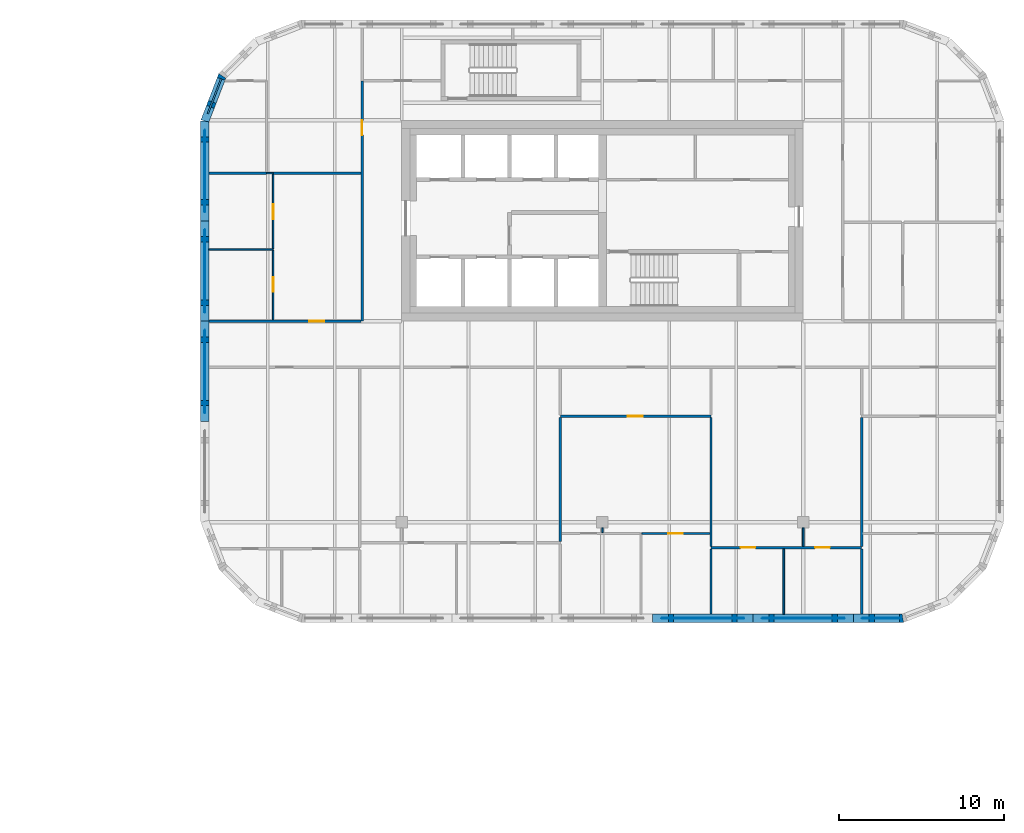
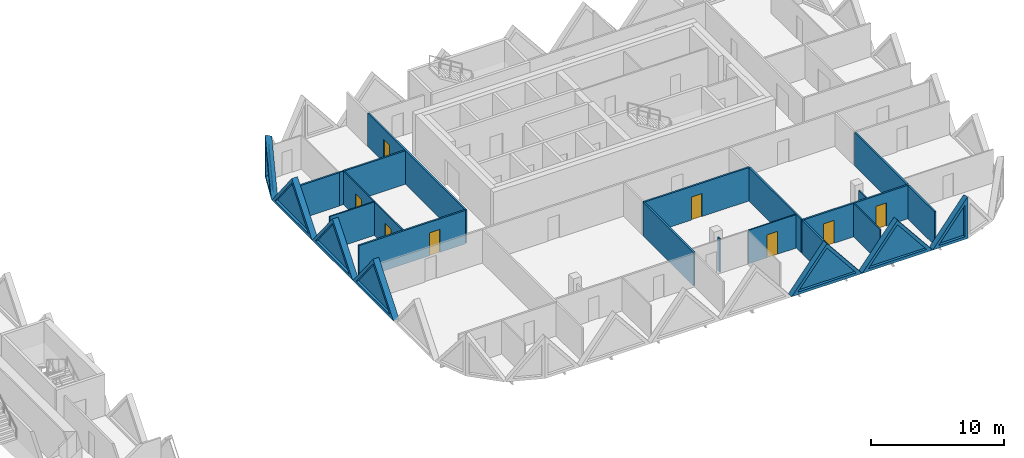
# One storey, part 12 of 19: 26 walls, 8 doors, 7 plates, 15 openings.
"""IFC4 building model written with IfcOpenShell, lengths in metres."""

from ifc_helpers import new_model, si_unit, direction, frame, frame_2d, origin, place, context, subcontext, project, spatial, polyline, rectangle, outline, extrude, faceted_brep, source, transform, mapped, material, layer, layer_set, type_object, element, fill, save


model = new_model("IFC4")

# Units and contexts
model_context = context("Model", 3, precision=1e-05, world=origin(), true_north=direction((0.0, 1.0)))
body_context = subcontext(model_context, "Body", "Model", "MODEL_VIEW")
ifc_project = project(units=[si_unit("LENGTHUNIT", "METRE"), si_unit("AREAUNIT", "SQUARE_METRE"), si_unit("VOLUMEUNIT", "CUBIC_METRE"), si_unit("PLANEANGLEUNIT", "RADIAN"), si_unit("MASSUNIT", "GRAM", prefix="KILO")], contexts=[model_context])

# Site, building, storey
site_placement = place(None, origin())
site = spatial("IfcSite", under=ifc_project, at=site_placement, CompositionType="ELEMENT")
building_placement = place(site_placement, origin())
building = spatial("IfcBuilding", under=site, at=building_placement, Name="Tessera Gate Towers", CompositionType="ELEMENT")
storey_placement = place(building_placement, frame((0.0, 0.0, 68.60009765625)))
storey = spatial("IfcBuildingStorey", under=building, at=storey_placement, Name="L16", CompositionType="ELEMENT", Elevation=68.60009765625)

# Wall, opening, door
ifc_material_1 = material(Name="Gypsum board on steel studs, mineral wool", Category="steel")
ifc_layer_1 = layer(ifc_material_1, 0.14990234375)
ifc_layer_set_1 = layer_set([ifc_layer_1], Name="CORRIDOR WALL 150")
wall_type_1 = type_object("IfcWallType", Name="CORRIDOR WALL 150", PredefinedType="PARTITIONING", material=ifc_layer_set_1)
wall_1_placement = place(storey_placement, frame((85.89990234375, 36.60009765625, 0.0), z_axis=(0.0, 0.0, 1.0), x_axis=(1.0, 0.0, 0.0)))
wall_1 = element("IfcWall", 1, at=wall_1_placement, inside=storey, type_object=wall_type_1, Name="T2-L16-PW-028", PredefinedType="PARTITIONING", context=body_context, shape_type="SweptSolid", body=[
    extrude(rectangle(XDim=9.22412109375, YDim=0.14990234375, at=frame_2d((4.612060546875, 0.0))), origin(), (0.0, 0.0, 1.0), 3.06689453125),
])
shared_shape_1 = source(origin(), body_context, "Body", "SweptSolid", [
    extrude(rectangle(XDim=0.89990234375, YDim=2.10009765625, at=frame_2d((0.449951171875, 1.050048828125))), frame((0.0, 0.0849609375, 0.0), z_axis=(0.0, -1.0, 0.0), x_axis=(1.0, 0.0, 0.0)), (0.0, 0.0, 1.0), 0.169921875),
])
opening_1_placement = place(wall_1_placement, frame((6.10009765625, 0.0, 0.0)))
opening_1 = element("IfcOpeningElement", 2, at=opening_1_placement, cuts=wall_1, Name="Opening D890FD60-B07-03", PredefinedType="OPENING", context=body_context, shape_type="MappedRepresentation", body=[
    mapped(shared_shape_1, transform((0.0, 0.0, 0.0), scale=1.0)),
])
ifc_material_2 = material(Name="Timber door leaf in steel frame", Category="steel")
door_type_1 = type_object("IfcDoorType", Name="CORRIDOR DOOR 900 FD60", OperationType="NOTDEFINED", PredefinedType="DOOR", material=ifc_material_2)
shared_shape_2 = source(origin(), body_context, "Body", "SweptSolid", [
    extrude(rectangle(XDim=0.89990234375, YDim=2.10009765625, at=frame_2d((0.449951171875, 1.050048828125))), frame((0.0, 0.02490234375, 0.0), z_axis=(0.0, -1.0, 0.0), x_axis=(1.0, 0.0, 0.0)), (0.0, 0.0, 1.0), 0.050048828125),
])
door_1_placement = place(opening_1_placement, origin())
door_1 = element("IfcDoor", 3, at=door_1_placement, inside=storey, type_object=door_type_1, Name="T2-L16-PD-028", OperationType="SINGLE_SWING_LEFT", OverallHeight=2.10009765625, OverallWidth=0.89990234375, PredefinedType="DOOR", context=body_context, shape_type="MappedRepresentation", body=[
    mapped(shared_shape_2, transform((0.0, 0.0, 0.0), scale=1.0)),
])
fill(opening_1, door_1)

wall_2_placement = place(storey_placement, frame((95.199951171875, 36.60009765625, 0.0), z_axis=(0.0, 0.0, 1.0), x_axis=(0.0, 1.0, 0.0)))
wall_2 = element("IfcWall", 4, at=wall_2_placement, inside=storey, type_object=wall_type_1, Name="T2-L16-PW-029", PredefinedType="PARTITIONING", context=body_context, shape_type="SweptSolid", body=[
    extrude(rectangle(XDim=14.599853515625, YDim=0.14990234375, at=frame_2d((7.2998046875, 0.0))), origin(), (0.0, 0.0, 1.0), 3.06689453125),
])
opening_2_placement = place(wall_2_placement, frame((11.301025390625, 0.0, 0.0)))
opening_2 = element("IfcOpeningElement", 5, at=opening_2_placement, cuts=wall_2, Name="Opening D890FD60-B07-01", PredefinedType="OPENING", context=body_context, shape_type="MappedRepresentation", body=[
    mapped(shared_shape_1, transform((0.0, 0.0, 0.0), scale=1.0)),
])
door_2_placement = place(opening_2_placement, origin())
door_2 = element("IfcDoor", 6, at=door_2_placement, inside=storey, type_object=door_type_1, Name="T2-L16-PD-010", OperationType="SINGLE_SWING_LEFT", OverallHeight=2.10009765625, OverallWidth=0.89990234375, PredefinedType="DOOR", context=body_context, shape_type="MappedRepresentation", body=[
    mapped(shared_shape_2, transform((0.0, 0.0, 0.0), scale=1.0)),
])
fill(opening_2, door_2)

ifc_material_3 = material(Name="Glass", Category="glass")
ifc_layer_2 = layer(ifc_material_3, 0.10009765625)
ifc_layer_set_2 = layer_set([ifc_layer_2], Name="GLAZED PARTITION 100")
wall_type_2 = type_object("IfcWallType", Name="GLAZED PARTITION 100", PredefinedType="PARTITIONING", material=ifc_layer_set_2)
wall_3_placement = place(storey_placement, frame((89.800048828125, 36.676025390625, 0.0), z_axis=(0.0, 0.0, 1.0), x_axis=(0.0, 1.0, 0.0)))
wall_3 = element("IfcWall", 7, at=wall_3_placement, inside=storey, type_object=wall_type_2, Name="T2-L16-PW-032", PredefinedType="PARTITIONING", context=body_context, shape_type="SweptSolid", body=[
    extrude(rectangle(XDim=4.220703125, YDim=0.10009765625, at=frame_2d((2.1103515625, 0.0))), origin(), (0.0, 0.0, 1.0), 3.06689453125),
])
shared_shape_3 = source(origin(), body_context, "Body", "SweptSolid", [
    extrude(rectangle(XDim=0.89990234375, YDim=2.10009765625, at=frame_2d((0.449951171875, 1.050048828125))), frame((0.0, 0.06005859375, 0.0), z_axis=(0.0, -1.0, 0.0), x_axis=(1.0, 0.0, 0.0)), (0.0, 0.0, 1.0), 0.1201171875),
])
opening_3_placement = place(wall_3_placement, frame((1.699951171875, 0.0, 0.0)))
opening_3 = element("IfcOpeningElement", 8, at=opening_3_placement, cuts=wall_3, Name="Opening D690-B07-01", PredefinedType="OPENING", context=body_context, shape_type="MappedRepresentation", body=[
    mapped(shared_shape_3, transform((0.0, 0.0, 0.0), scale=1.0)),
])
ifc_material_4 = material(Name="Glass in aluminium frame", Category="aluminium")
door_type_2 = type_object("IfcDoorType", Name="GLAZED DOOR 900 NOT RATED", OperationType="NOTDEFINED", PredefinedType="DOOR", material=ifc_material_4)
door_3_placement = place(opening_3_placement, origin())
door_3 = element("IfcDoor", 9, at=door_3_placement, inside=storey, type_object=door_type_2, Name="T2-L16-PD-003", OperationType="SINGLE_SWING_LEFT", OverallHeight=2.10009765625, OverallWidth=0.89990234375, PredefinedType="DOOR", context=body_context, shape_type="MappedRepresentation", body=[
    mapped(shared_shape_2, transform((0.0, 0.0, 0.0), scale=1.0)),
])
fill(opening_3, door_3)

wall_4_placement = place(storey_placement, frame((89.800048828125, 40.998779296875, 0.0), z_axis=(0.0, 0.0, 1.0), x_axis=(0.0, 1.0, 0.0)))
wall_4 = element("IfcWall", 10, at=wall_4_placement, inside=storey, type_object=wall_type_2, Name="T2-L16-PW-035", PredefinedType="PARTITIONING", context=body_context, shape_type="SweptSolid", body=[
    extrude(rectangle(XDim=4.525146484375, YDim=0.10009765625, at=frame_2d((2.2626953125, 0.0))), origin(), (0.0, 0.0, 1.0), 3.06689453125),
])
opening_4_placement = place(wall_4_placement, frame((1.800048828125, 0.0, 0.0)))
opening_4 = element("IfcOpeningElement", 11, at=opening_4_placement, cuts=wall_4, Name="Opening D690-B07-02", PredefinedType="OPENING", context=body_context, shape_type="MappedRepresentation", body=[
    mapped(shared_shape_3, transform((0.0, 0.0, 0.0), scale=1.0)),
])
door_4_placement = place(opening_4_placement, origin())
door_4 = element("IfcDoor", 12, at=door_4_placement, inside=storey, type_object=door_type_2, Name="T2-L16-PD-005", OperationType="SINGLE_SWING_LEFT", OverallHeight=2.10009765625, OverallWidth=0.89990234375, PredefinedType="DOOR", context=body_context, shape_type="MappedRepresentation", body=[
    mapped(shared_shape_2, transform((0.0, 0.0, 0.0), scale=1.0)),
])
fill(opening_4, door_4)

# Walls
wall_5_placement = place(storey_placement, frame((89.39599609375, 45.60009765625, 0.0), z_axis=(0.0, 0.0, 1.0), x_axis=(1.0, 0.0, 0.0)))
element("IfcWall", 13, at=wall_5_placement, inside=storey, type_object=wall_type_2, Name="T2-L16-PW-040", PredefinedType="PARTITIONING", context=body_context, shape_type="SweptSolid", body=[
    extrude(rectangle(XDim=0.403076171875, YDim=0.10009765625, at=frame_2d((0.20166015625, 0.0))), origin(), (0.0, 0.0, 1.0), 3.06689453125),
])
ifc_material_5 = material(Name="Gypsum board on steel studs", Category="steel")
ifc_layer_3 = layer(ifc_material_5, 0.10009765625)
ifc_layer_set_3 = layer_set([ifc_layer_3], Name="PARTITION 100")
wall_type_3 = type_object("IfcWallType", Name="PARTITION 100", PredefinedType="PARTITIONING", material=ifc_layer_set_3)
wall_6_placement = place(storey_placement, frame((120.820068359375, 18.800048828125, 0.0), z_axis=(0.0, 0.0, 1.0), x_axis=(0.0, 1.0, 0.0)))
element("IfcWall", 14, at=wall_6_placement, inside=storey, type_object=wall_type_3, Name="T2-L16-PW-006", PredefinedType="PARTITIONING", context=body_context, shape_type="SweptSolid", body=[
    extrude(rectangle(XDim=3.973876953125, YDim=0.10009765625, at=frame_2d((1.98681640625, 0.0))), origin(), (0.0, 0.0, 1.0), 3.06689453125),
])

# Wall, opening, door
wall_7_placement = place(storey_placement, frame((116.323974609375, 23.699951171875, 0.0), z_axis=(0.0, 0.0, 1.0), x_axis=(-1.0, 0.0, 0.0)))
wall_7 = element("IfcWall", 15, at=wall_7_placement, inside=storey, type_object=wall_type_3, Name="T2-L16-PW-017", PredefinedType="PARTITIONING", context=body_context, shape_type="SweptSolid", body=[
    extrude(rectangle(XDim=4.127685546875, YDim=0.10009765625, at=frame_2d((2.06396484375, 0.0))), origin(), (0.0, 0.0, 1.0), 3.06689453125),
])
opening_5_placement = place(wall_7_placement, frame((1.627685546875, 0.0, 0.0)))
opening_5 = element("IfcOpeningElement", 16, at=opening_5_placement, cuts=wall_7, Name="Opening D190-B07-02", PredefinedType="OPENING", context=body_context, shape_type="MappedRepresentation", body=[
    mapped(shared_shape_3, transform((0.0, 0.0, 0.0), scale=1.0)),
])
ifc_material_6 = material(Name="Timber door leaf in steel frame", Category="steel")
door_type_3 = type_object("IfcDoorType", Name="INTERNAL DOOR 900 NOT RATED", OperationType="NOTDEFINED", PredefinedType="DOOR", material=ifc_material_6)
door_5_placement = place(opening_5_placement, origin())
door_5 = element("IfcDoor", 17, at=door_5_placement, inside=storey, type_object=door_type_3, Name="T2-L16-PD-002", OperationType="SINGLE_SWING_RIGHT", OverallHeight=2.10009765625, OverallWidth=0.89990234375, PredefinedType="DOOR", context=body_context, shape_type="MappedRepresentation", body=[
    mapped(shared_shape_2, transform((0.0, 0.0, 0.0), scale=1.0)),
])
fill(opening_5, door_5)

# Walls
wall_8_placement = place(storey_placement, frame((109.800048828125, 24.050048828125, 0.0), z_axis=(0.0, 0.0, 1.0), x_axis=(0.0, -1.0, 0.0)))
element("IfcWall", 18, at=wall_8_placement, inside=storey, type_object=wall_type_3, Name="T2-L16-PW-020", PredefinedType="PARTITIONING", context=body_context, shape_type="SweptSolid", body=[
    extrude(rectangle(XDim=0.300048828125, YDim=0.10009765625, at=frame_2d((0.14990234375, 0.0))), origin(), (0.0, 0.0, 1.0), 3.06689453125),
])
wall_9_placement = place(storey_placement, frame((122.0, 24.050048828125, 0.0), z_axis=(0.0, 0.0, 1.0), x_axis=(0.0, -1.0, 0.0)))
element("IfcWall", 19, at=wall_9_placement, inside=storey, type_object=wall_type_3, Name="T2-L16-PW-021", PredefinedType="PARTITIONING", context=body_context, shape_type="SweptSolid", body=[
    extrude(rectangle(XDim=1.125, YDim=0.10009765625, at=frame_2d((0.5625, 0.0))), origin(), (0.0, 0.0, 1.0), 3.06689453125),
])
wall_10_placement = place(storey_placement, frame((85.89990234375, 40.947998046875, 0.0), z_axis=(0.0, 0.0, 1.0), x_axis=(1.0, 0.0, 0.0)))
element("IfcWall", 20, at=wall_10_placement, inside=storey, type_object=wall_type_3, Name="T2-L16-PW-034", PredefinedType="PARTITIONING", context=body_context, shape_type="SweptSolid", body=[
    extrude(rectangle(XDim=3.900146484375, YDim=0.10009765625, at=frame_2d((1.9501953125, 0.0))), origin(), (0.0, 0.0, 1.0), 3.06689453125),
])
ifc_material_7 = material(Name="Gypsum board on steel studs, mineral wool", Category="steel")
ifc_layer_4 = layer(ifc_material_7, 0.14990234375)
ifc_layer_set_4 = layer_set([ifc_layer_4], Name="TENANCY WALL 150")
wall_type_4 = type_object("IfcWallType", Name="TENANCY WALL 150", PredefinedType="PARTITIONING", material=ifc_layer_set_4)
for number, where, z_axis, x_axis, name in (
    (21, (116.39990234375, 18.800048828125, 0.0), (0.0, 0.0, 1.0), (0.0, 1.0, 0.0), "T2-L16-PW-005"),
    (22, (125.550048828125, 18.800048828125, 0.0), (0.0, 0.0, 1.0), (0.0, 1.0, 0.0), "T2-L16-PW-007"),
):
    element("IfcWall", number, at=place(storey_placement, frame(where, z_axis=z_axis, x_axis=x_axis)), inside=storey, type_object=wall_type_4, Name=name, PredefinedType="PARTITIONING", context=body_context, shape_type="SweptSolid", body=[
        extrude(rectangle(XDim=3.973876953125, YDim=0.14990234375, at=frame_2d((1.98681640625, 0.0))), origin(), (0.0, 0.0, 1.0), 3.06689453125),
    ])

# Wall, openings, doors
wall_11_placement = place(storey_placement, frame((125.550048828125, 22.85009765625, 0.0), z_axis=(0.0, 0.0, 1.0), x_axis=(-1.0, 0.0, 0.0)))
wall_11 = element("IfcWall", 23, at=wall_11_placement, inside=storey, type_object=wall_type_4, Name="T2-L16-PW-011", PredefinedType="PARTITIONING", context=body_context, shape_type="SweptSolid", body=[
    extrude(rectangle(XDim=9.150146484375, YDim=0.14990234375, at=frame_2d((4.5751953125, 0.0))), origin(), (0.0, 0.0, 1.0), 3.06689453125),
])
opening_6_placement = place(wall_11_placement, frame((6.449951171875, 0.0, 0.0)))
opening_6 = element("IfcOpeningElement", 24, at=opening_6_placement, cuts=wall_11, Name="Opening D190-B07-03", PredefinedType="OPENING", context=body_context, shape_type="MappedRepresentation", body=[
    mapped(shared_shape_1, transform((0.0, 0.0, 0.0), scale=1.0)),
])
opening_7_placement = place(wall_11_placement, frame((1.9296875, 0.0, 0.0)))
opening_7 = element("IfcOpeningElement", 25, at=opening_7_placement, cuts=wall_11, Name="Opening D190-B07-05", PredefinedType="OPENING", context=body_context, shape_type="MappedRepresentation", body=[
    mapped(shared_shape_1, transform((0.0, 0.0, 0.0), scale=1.0)),
])
door_6_placement = place(opening_6_placement, origin())
door_6 = element("IfcDoor", 26, at=door_6_placement, inside=storey, type_object=door_type_3, Name="T2-L16-PD-004", OperationType="SINGLE_SWING_RIGHT", OverallHeight=2.10009765625, OverallWidth=0.89990234375, PredefinedType="DOOR", context=body_context, shape_type="MappedRepresentation", body=[
    mapped(shared_shape_2, transform((0.0, 0.0, 0.0), scale=1.0)),
])
fill(opening_6, door_6)
door_7_placement = place(opening_7_placement, origin())
door_7 = element("IfcDoor", 27, at=door_7_placement, inside=storey, type_object=door_type_3, Name="T2-L16-PD-008", OperationType="SINGLE_SWING_RIGHT", OverallHeight=2.10009765625, OverallWidth=0.89990234375, PredefinedType="DOOR", context=body_context, shape_type="MappedRepresentation", body=[
    mapped(shared_shape_2, transform((0.0, 0.0, 0.0), scale=1.0)),
])
fill(opening_7, door_7)

# Walls
for number, where, z_axis, x_axis, name in (
    (28, (116.39990234375, 22.926025390625, 0.0), (0.0, 0.0, 1.0), (0.0, 1.0, 0.0), "T2-L16-PW-012"),
    (29, (125.550048828125, 22.926025390625, 0.0), (0.0, 0.0, 1.0), (0.0, 1.0, 0.0), "T2-L16-PW-013"),
):
    element("IfcWall", number, at=place(storey_placement, frame(where, z_axis=z_axis, x_axis=x_axis)), inside=storey, type_object=wall_type_4, Name=name, PredefinedType="PARTITIONING", context=body_context, shape_type="SweptSolid", body=[
        extrude(rectangle(XDim=7.822998046875, YDim=0.14990234375, at=frame_2d((3.91162109375, 0.0))), origin(), (0.0, 0.0, 1.0), 3.06689453125),
    ])
wall_12_placement = place(storey_placement, frame((107.25, 23.22607421875, 0.0), z_axis=(0.0, 0.0, 1.0), x_axis=(0.0, 1.0, 0.0)))
element("IfcWall", 30, at=wall_12_placement, inside=storey, type_object=wall_type_4, Name="T2-L16-PW-015", PredefinedType="PARTITIONING", context=body_context, shape_type="SweptSolid", body=[
    extrude(rectangle(XDim=7.52294921875, YDim=0.14990234375, at=frame_2d((3.761474609375, 0.0))), origin(), (0.0, 0.0, 1.0), 3.06689453125),
])

# Wall, opening, door
wall_13_placement = place(storey_placement, frame((116.39990234375, 30.824951171875, 0.0), z_axis=(0.0, 0.0, 1.0), x_axis=(-1.0, 0.0, 0.0)))
wall_13 = element("IfcWall", 31, at=wall_13_placement, inside=storey, type_object=wall_type_4, Name="T2-L16-PW-022", PredefinedType="PARTITIONING", context=body_context, shape_type="SweptSolid", body=[
    extrude(rectangle(XDim=9.14990234375, YDim=0.14990234375, at=frame_2d((4.574951171875, 0.0))), origin(), (0.0, 0.0, 1.0), 3.06689453125),
])
opening_8_placement = place(wall_13_placement, frame((4.14990234375, 0.0, 0.0)))
opening_8 = element("IfcOpeningElement", 32, at=opening_8_placement, cuts=wall_13, Name="Opening D190-B07-12", PredefinedType="OPENING", context=body_context, shape_type="MappedRepresentation", body=[
    mapped(shared_shape_1, transform((0.0, 0.0, 0.0), scale=1.0)),
])
door_8_placement = place(opening_8_placement, origin())
door_8 = element("IfcDoor", 33, at=door_8_placement, inside=storey, type_object=door_type_3, Name="T2-L16-PD-024", OperationType="SINGLE_SWING_RIGHT", OverallHeight=2.10009765625, OverallWidth=0.89990234375, PredefinedType="DOOR", context=body_context, shape_type="MappedRepresentation", body=[
    mapped(shared_shape_2, transform((0.0, 0.0, 0.0), scale=1.0)),
])
fill(opening_8, door_8)

# Walls
wall_14_placement = place(storey_placement, frame((85.89990234375, 45.60009765625, 0.0), z_axis=(0.0, 0.0, 1.0), x_axis=(1.0, 0.0, 0.0)))
element("IfcWall", 34, at=wall_14_placement, inside=storey, type_object=wall_type_4, Name="T2-L16-PW-039", PredefinedType="PARTITIONING", context=body_context, shape_type="SweptSolid", body=[
    extrude(rectangle(XDim=3.4951171875, YDim=0.14990234375, at=frame_2d((1.74755859375, 0.0))), origin(), (0.0, 0.0, 1.0), 3.06689453125),
])
wall_15_placement = place(storey_placement, frame((89.800048828125, 45.60009765625, 0.0), z_axis=(0.0, 0.0, 1.0), x_axis=(1.0, 0.0, 0.0)))
element("IfcWall", 35, at=wall_15_placement, inside=storey, type_object=wall_type_4, Name="T2-L16-PW-041", PredefinedType="PARTITIONING", context=body_context, shape_type="SweptSolid", body=[
    extrude(rectangle(XDim=5.323974609375, YDim=0.14990234375, at=frame_2d((2.662109375, 0.0))), origin(), (0.0, 0.0, 1.0), 3.06689453125),
])

# Wall, opening, plate
ifc_material_8 = material(Name="Precast concrete C60/75 white", Category="concrete")
ifc_layer_5 = layer(ifc_material_8, 0.5)
ifc_layer_set_5 = layer_set([ifc_layer_5], Name="TS2 half tessera")
wall_type_5 = type_object("IfcWallType", Name="TS2 half tessera", PredefinedType="SOLIDWALL", material=ifc_layer_set_5)
shared_shape_4 = source(origin(), body_context, "Body", "Brep", [
    faceted_brep([(6.099853515625, -0.25, 0.000244140625), (3.050048828125, -0.25, 3.7998046875), (0.0, -0.25, 0.0), (6.099853515625, -0.25, 0.0), (0.0, 0.25, 0.0), (3.050048828125, 0.25, 3.7998046875), (6.099853515625, 0.25, 0.000244140625), (6.099853515625, 0.25, 0.0)], [[[0, 1, 2, 3]], [[4, 5, 6, 7]], [[6, 5, 1, 0]], [[5, 4, 2, 1]], [[4, 7, 3, 2]], [[3, 7, 6, 0]]]),
])
wall_16_placement = place(storey_placement, frame((112.85009765625, 18.550048828125, 0.0), z_axis=(0.0, 0.0, 1.0), x_axis=(1.0, 0.0, 0.0)))
wall_16 = element("IfcWall", 36, at=wall_16_placement, inside=storey, type_object=wall_type_5, Name="Precast half tessera T2 TS2-0075", PredefinedType="SOLIDWALL", context=body_context, shape_type="MappedRepresentation", body=[
    mapped(shared_shape_4, transform((0.0, 0.0, 0.0), scale=1.0)),
])
shared_shape_5 = source(origin(), body_context, "Body", "SweptSolid", [
    extrude(outline(polyline([(5.578857421875, 0.25), (3.050048828125, 3.400390625), (0.521240234375, 0.25), (5.578857421875, 0.25)])), frame((0.0, 0.260009765625, 0.0), z_axis=(0.0, -1.0, 0.0), x_axis=(1.0, 0.0, 0.0)), (0.0, 0.0, 1.0), 0.52001953125),
])
opening_9_placement = place(wall_16_placement, origin())
opening_9 = element("IfcOpeningElement", 37, at=opening_9_placement, cuts=wall_16, Name="Opening T2-PL1-0141", PredefinedType="OPENING", context=body_context, shape_type="MappedRepresentation", body=[
    mapped(shared_shape_5, transform((0.0, 0.0, 0.0), scale=1.0)),
])
ifc_material_9 = material(Name="Low-e laminated glass", Category="glass")
ifc_layer_6 = layer(ifc_material_9, 0.06005859375)
ifc_layer_set_6 = layer_set([ifc_layer_6], Name="PL1 triangular pane")
plate_type = type_object("IfcPlateType", Name="PL1 triangular pane", PredefinedType="SHEET", material=ifc_layer_set_6)
shared_shape_6 = source(origin(), body_context, "Body", "SweptSolid", [
    extrude(outline(polyline([(5.578857421875, 0.25), (3.050048828125, 3.400390625), (0.521240234375, 0.25), (5.578857421875, 0.25)])), frame((0.0, 0.030029296875, 0.0), z_axis=(0.0, -1.0, 0.0), x_axis=(1.0, 0.0, 0.0)), (0.0, 0.0, 1.0), 0.06005859375),
])
plate_1_placement = place(opening_9_placement, origin())
plate_1 = element("IfcPlate", 38, at=plate_1_placement, inside=storey, type_object=plate_type, Name="Glass pane T2 PL1-0141", PredefinedType="SHEET", context=body_context, shape_type="MappedRepresentation", body=[
    mapped(shared_shape_6, transform((0.0, 0.0, 0.0), scale=1.0)),
])
fill(opening_9, plate_1)

wall_17_placement = place(storey_placement, frame((85.64990234375, 42.699951171875, 0.0), z_axis=(0.0, 0.0, 1.0), x_axis=(0.0, -1.0, 0.0)))
wall_17 = element("IfcWall", 39, at=wall_17_placement, inside=storey, type_object=wall_type_5, Name="Precast half tessera T2 TS2-0087", PredefinedType="SOLIDWALL", context=body_context, shape_type="MappedRepresentation", body=[
    mapped(shared_shape_4, transform((0.0, 0.0, 0.0), scale=1.0)),
])
opening_10_placement = place(wall_17_placement, origin())
opening_10 = element("IfcOpeningElement", 40, at=opening_10_placement, cuts=wall_17, Name="Opening T2-PL1-0165", PredefinedType="OPENING", context=body_context, shape_type="MappedRepresentation", body=[
    mapped(shared_shape_5, transform((0.0, 0.0, 0.0), scale=1.0)),
])
plate_2_placement = place(opening_10_placement, origin())
plate_2 = element("IfcPlate", 41, at=plate_2_placement, inside=storey, type_object=plate_type, Name="Glass pane T2 PL1-0165", PredefinedType="SHEET", context=body_context, shape_type="MappedRepresentation", body=[
    mapped(shared_shape_6, transform((0.0, 0.0, 0.0), scale=1.0)),
])
fill(opening_10, plate_2)

shared_shape_7 = source(origin(), body_context, "Body", "SweptSolid", [
    extrude(outline(polyline([(6.10009765625, 0.0), (3.050048828125, 3.7998046875), (0.0, 0.0), (6.10009765625, 0.0)])), frame((0.0, 0.25, 0.0), z_axis=(0.0, -1.0, 0.0), x_axis=(1.0, 0.0, 0.0)), (0.0, 0.0, 1.0), 0.5),
])
wall_18_placement = place(storey_placement, frame((118.949951171875, 18.550048828125, 0.0), z_axis=(0.0, 0.0, 1.0), x_axis=(1.0, 0.0, 0.0)))
wall_18 = element("IfcWall", 42, at=wall_18_placement, inside=storey, type_object=wall_type_5, Name="Precast half tessera T2 TS2-0076", PredefinedType="SOLIDWALL", context=body_context, shape_type="MappedRepresentation", body=[
    mapped(shared_shape_7, transform((0.0, 0.0, 0.0), scale=1.0)),
])
opening_11_placement = place(wall_18_placement, origin())
opening_11 = element("IfcOpeningElement", 43, at=opening_11_placement, cuts=wall_18, Name="Opening T2-PL1-0142", PredefinedType="OPENING", context=body_context, shape_type="MappedRepresentation", body=[
    mapped(shared_shape_5, transform((0.0, 0.0, 0.0), scale=1.0)),
])
plate_3_placement = place(opening_11_placement, origin())
plate_3 = element("IfcPlate", 44, at=plate_3_placement, inside=storey, type_object=plate_type, Name="Glass pane T2 PL1-0142", PredefinedType="SHEET", context=body_context, shape_type="MappedRepresentation", body=[
    mapped(shared_shape_6, transform((0.0, 0.0, 0.0), scale=1.0)),
])
fill(opening_11, plate_3)

wall_19_placement = place(storey_placement, frame((85.64990234375, 36.60009765625, 0.0), z_axis=(0.0, 0.0, 1.0), x_axis=(0.0, -1.0, 0.0)))
wall_19 = element("IfcWall", 45, at=wall_19_placement, inside=storey, type_object=wall_type_5, Name="Precast half tessera T2 TS2-0088", PredefinedType="SOLIDWALL", context=body_context, shape_type="MappedRepresentation", body=[
    mapped(shared_shape_7, transform((0.0, 0.0, 0.0), scale=1.0)),
])
opening_12_placement = place(wall_19_placement, origin())
opening_12 = element("IfcOpeningElement", 46, at=opening_12_placement, cuts=wall_19, Name="Opening T2-PL1-0166", PredefinedType="OPENING", context=body_context, shape_type="MappedRepresentation", body=[
    mapped(shared_shape_5, transform((0.0, 0.0, 0.0), scale=1.0)),
])
plate_4_placement = place(opening_12_placement, origin())
plate_4 = element("IfcPlate", 47, at=plate_4_placement, inside=storey, type_object=plate_type, Name="Glass pane T2 PL1-0166", PredefinedType="SHEET", context=body_context, shape_type="MappedRepresentation", body=[
    mapped(shared_shape_6, transform((0.0, 0.0, 0.0), scale=1.0)),
])
fill(opening_12, plate_4)

ifc_material_10 = material(Name="Precast concrete C60/75 white", Category="concrete")
ifc_layer_7 = layer(ifc_material_10, 0.5)
ifc_layer_set_7 = layer_set([ifc_layer_7], Name="TS3 corner tessera")
wall_type_6 = type_object("IfcWallType", Name="TS3 corner tessera", PredefinedType="SOLIDWALL", material=ifc_layer_set_7)
shared_shape_8 = source(origin(), body_context, "Body", "Brep", [
    faceted_brep([(3.050048828125, -0.25, 3.73974609375), (3.00341796875, -0.25, 3.7998046875), (0.0, -0.25, 0.0), (3.050048828125, -0.25, 0.0), (0.0, 0.25, 0.0), (2.956787109375, 0.25, 3.740966796875), (2.956787109375, 0.25, 0.0), (3.00341796875, 0.000244140625, 3.7998046875)], [[[0, 1, 2, 3]], [[4, 5, 6]], [[7, 1, 0]], [[5, 4, 2, 1, 7]], [[4, 6, 3, 2]], [[3, 6, 5, 7, 0]]]),
])
wall_20_placement = place(storey_placement, frame((125.050048828125, 18.550048828125, 0.0), z_axis=(0.0, 0.0, 1.0), x_axis=(1.0, 0.0, 0.0)))
wall_20 = element("IfcWall", 48, at=wall_20_placement, inside=storey, type_object=wall_type_6, Name="Precast corner tessera T2 TS3-0227", PredefinedType="SOLIDWALL", context=body_context, shape_type="MappedRepresentation", body=[
    mapped(shared_shape_8, transform((0.0, 0.0, 0.0), scale=1.0)),
])
shared_shape_9 = source(origin(), body_context, "Body", "SweptSolid", [
    extrude(outline(polyline([(2.803466796875, 3.143798828125), (0.516357421875, 0.25), (2.803466796875, 0.25), (2.803466796875, 3.143798828125)])), frame((0.0, 0.260009765625, 0.0), z_axis=(0.0, -1.0, 0.0), x_axis=(1.0, 0.0, 0.0)), (0.0, 0.0, 1.0), 0.52001953125),
])
opening_13_placement = place(wall_20_placement, origin())
opening_13 = element("IfcOpeningElement", 49, at=opening_13_placement, cuts=wall_20, Name="Opening T2-PL1-0143", PredefinedType="OPENING", context=body_context, shape_type="MappedRepresentation", body=[
    mapped(shared_shape_9, transform((0.0, 0.0, 0.0), scale=1.0)),
])
shared_shape_10 = source(origin(), body_context, "Body", "SweptSolid", [
    extrude(outline(polyline([(2.803466796875, 3.143798828125), (0.516357421875, 0.25), (2.803466796875, 0.25), (2.803466796875, 3.143798828125)])), frame((0.0, 0.030029296875, 0.0), z_axis=(0.0, -1.0, 0.0), x_axis=(1.0, 0.0, 0.0)), (0.0, 0.0, 1.0), 0.06005859375),
])
plate_5_placement = place(opening_13_placement, origin())
plate_5 = element("IfcPlate", 50, at=plate_5_placement, inside=storey, type_object=plate_type, Name="Glass pane T2 PL1-0143", PredefinedType="SHEET", context=body_context, shape_type="MappedRepresentation", body=[
    mapped(shared_shape_10, transform((0.0, 0.0, 0.0), scale=1.0)),
])
fill(opening_13, plate_5)

shared_shape_11 = source(origin(), body_context, "Body", "Brep", [
    faceted_brep([(6.053466796875, -0.25, 0.0), (3.00341796875, -0.25, 3.7998046875), (0.0, -0.25, 0.0), (0.046630859375, 0.25, 0.058837890625), (3.00341796875, 0.25, 3.7998046875), (6.053466796875, 0.25, 0.0), (0.046630859375, 0.25, 0.0), (0.0, 0.0, 0.0)], [[[0, 1, 2]], [[3, 4, 5, 6]], [[5, 4, 1, 0]], [[4, 3, 7, 2, 1]], [[6, 5, 0, 2, 7]], [[6, 7, 3]]]),
])
wall_21_placement = place(storey_placement, frame((85.64990234375, 48.75341796875, 0.0), z_axis=(0.0, 0.0, 1.0), x_axis=(0.0, -1.0, 0.0)))
wall_21 = element("IfcWall", 51, at=wall_21_placement, inside=storey, type_object=wall_type_5, Name="Precast half tessera T2 TS2-0086", PredefinedType="SOLIDWALL", context=body_context, shape_type="MappedRepresentation", body=[
    mapped(shared_shape_11, transform((0.0, 0.0, 0.0), scale=1.0)),
])
shared_shape_12 = source(origin(), body_context, "Body", "SweptSolid", [
    extrude(outline(polyline([(5.5322265625, 0.25), (3.0048828125, 3.398681640625), (0.516357421875, 0.25), (5.5322265625, 0.25)])), frame((0.0, 0.260009765625, 0.0), z_axis=(0.0, -1.0, 0.0), x_axis=(1.0, 0.0, 0.0)), (0.0, 0.0, 1.0), 0.52001953125),
])
opening_14_placement = place(wall_21_placement, origin())
opening_14 = element("IfcOpeningElement", 52, at=opening_14_placement, cuts=wall_21, Name="Opening T2-PL1-0164", PredefinedType="OPENING", context=body_context, shape_type="MappedRepresentation", body=[
    mapped(shared_shape_12, transform((0.0, 0.0, 0.0), scale=1.0)),
])
shared_shape_13 = source(origin(), body_context, "Body", "SweptSolid", [
    extrude(outline(polyline([(5.5322265625, 0.25), (3.0048828125, 3.398681640625), (0.516357421875, 0.25), (5.5322265625, 0.25)])), frame((0.0, 0.030029296875, 0.0), z_axis=(0.0, -1.0, 0.0), x_axis=(1.0, 0.0, 0.0)), (0.0, 0.0, 1.0), 0.06005859375),
])
plate_6_placement = place(opening_14_placement, origin())
plate_6 = element("IfcPlate", 53, at=plate_6_placement, inside=storey, type_object=plate_type, Name="Glass pane T2 PL1-0164", PredefinedType="SHEET", context=body_context, shape_type="MappedRepresentation", body=[
    mapped(shared_shape_13, transform((0.0, 0.0, 0.0), scale=1.0)),
])
fill(opening_14, plate_6)

shared_shape_14 = source(origin(), body_context, "Body", "Brep", [
    faceted_brep([(3.00341796875, -0.25, 0.0), (0.052978515625, -0.25, 3.7998046875), (0.0, -0.25, 3.7314453125), (0.0, -0.25, 0.0), (0.10595703125, 0.25, 3.731689453125), (2.95703125, 0.25, 0.059814453125), (2.95703125, 0.25, 0.0), (0.10595703125, 0.25, 0.0), (0.052978515625, 0.0, 3.7998046875), (3.00341796875, 0.00048828125, 0.0)], [[[0, 1, 2, 3]], [[4, 5, 6, 7]], [[5, 4, 8, 1, 0, 9]], [[2, 1, 8]], [[7, 6, 9, 0, 3]], [[7, 3, 2, 8, 4]], [[9, 6, 5]]]),
])
wall_22_placement = place(storey_placement, frame((86.73095703125, 51.5556640625, 0.0), z_axis=(0.0, 0.0, 1.0), x_axis=(-0.359855894603, -0.933007896601, 0.0)))
wall_22 = element("IfcWall", 54, at=wall_22_placement, inside=storey, type_object=wall_type_6, Name="Precast corner tessera T2 TS3-0238", PredefinedType="SOLIDWALL", context=body_context, shape_type="MappedRepresentation", body=[
    mapped(shared_shape_14, transform((0.0, 0.0, 0.0), scale=1.0)),
])
shared_shape_15 = source(origin(), body_context, "Body", "SweptSolid", [
    extrude(outline(polyline([(2.492919921875, 0.25), (0.2529296875, 3.134765625), (0.2529296875, 0.25), (2.492919921875, 0.25)])), frame((0.0, 0.260009765625, 0.0), z_axis=(0.0, -1.0, 0.0), x_axis=(1.0, 0.0, 0.0)), (0.0, 0.0, 1.0), 0.52001953125),
])
opening_15_placement = place(wall_22_placement, origin())
opening_15 = element("IfcOpeningElement", 55, at=opening_15_placement, cuts=wall_22, Name="Opening T2-PL1-0163", PredefinedType="OPENING", context=body_context, shape_type="MappedRepresentation", body=[
    mapped(shared_shape_15, transform((0.0, 0.0, 0.0), scale=1.0)),
])
shared_shape_16 = source(origin(), body_context, "Body", "SweptSolid", [
    extrude(outline(polyline([(2.492919921875, 0.25), (0.2529296875, 3.134765625), (0.2529296875, 0.25), (2.492919921875, 0.25)])), frame((0.0, 0.030029296875, 0.0), z_axis=(0.0, -1.0, 0.0), x_axis=(1.0, 0.0, 0.0)), (0.0, 0.0, 1.0), 0.06005859375),
])
plate_7_placement = place(opening_15_placement, origin())
plate_7 = element("IfcPlate", 56, at=plate_7_placement, inside=storey, type_object=plate_type, Name="Glass pane T2 PL1-0163", PredefinedType="SHEET", context=body_context, shape_type="MappedRepresentation", body=[
    mapped(shared_shape_16, transform((0.0, 0.0, 0.0), scale=1.0)),
])
fill(opening_15, plate_7)

save(model, "model.ifc")
